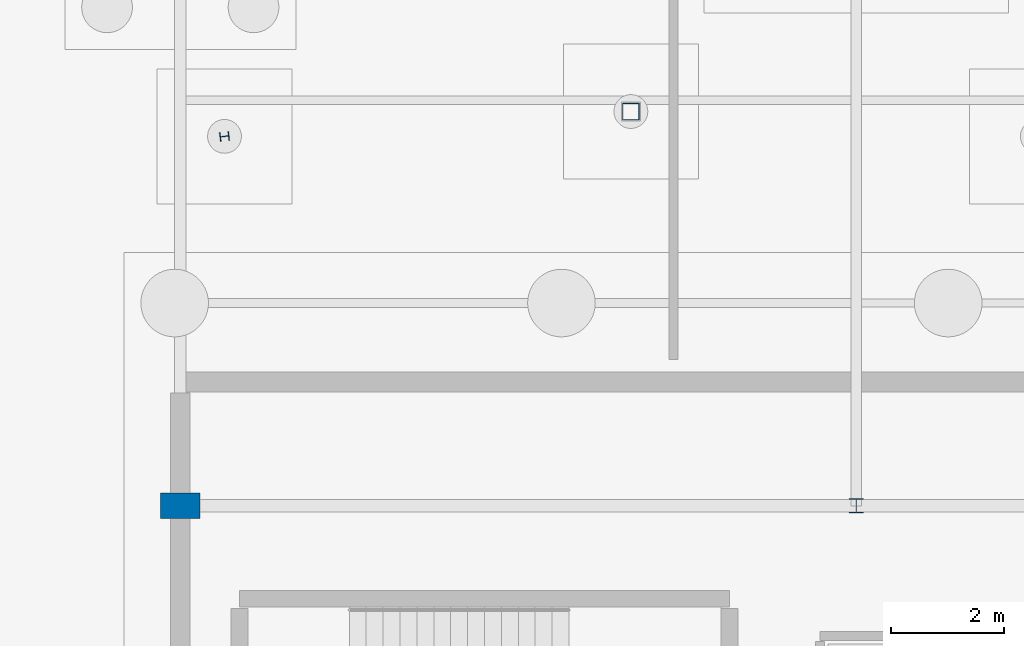
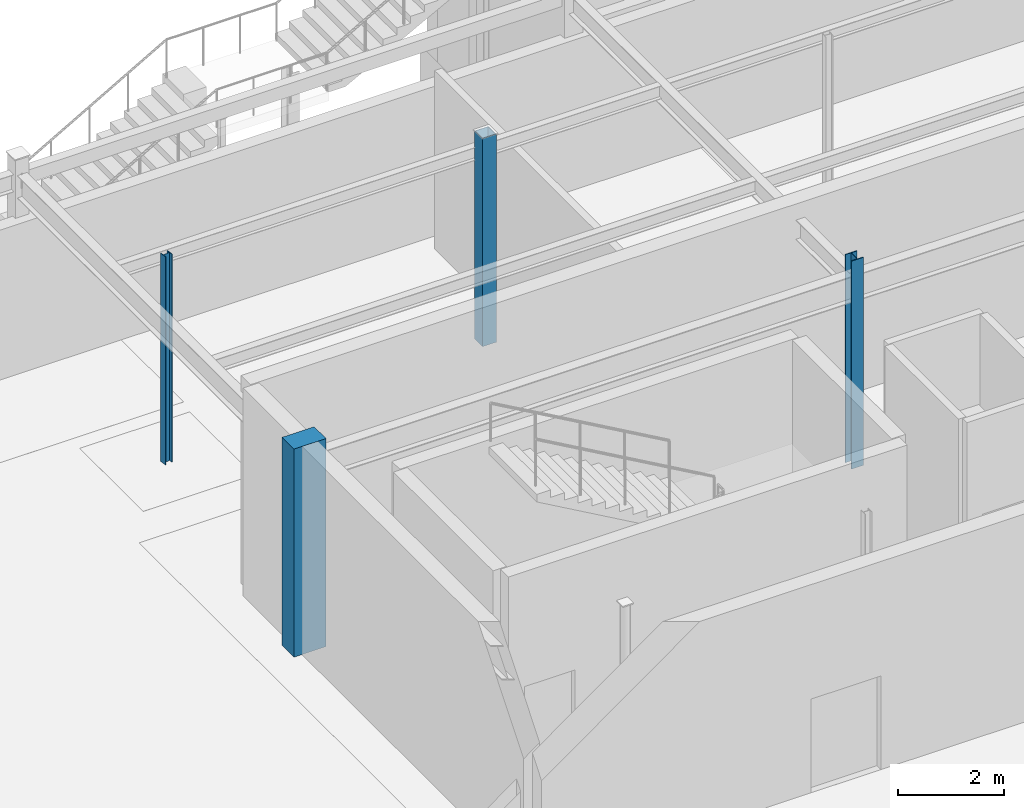
# One storey, part 41 of 136: 4 columns.
"""IFC4 building model written with IfcOpenShell, lengths in metres."""

import ifcopenshell
import ifcopenshell.guid

model = None  # the IFC model being written
_history = None  # IfcOwnerHistory: only IFC2X3 demands one
_inside = {}  # id of a spatial element -> (the spatial element, [elements in it])
_under = {}  # id of a project, library or spatial element -> (it, [spatial elements below it])
_declared = {}  # id of a project -> (the project, [libraries it declares])
_typed = {}  # id of a type object -> (the type object, [elements of that type])
_made_of = {}  # id of a material, layer set ... -> (it, [elements and type objects made of it])


def new_model(schema):
    """Start an empty IFC model of exactly this schema.

    Asked for "IFC4X3", IfcOpenShell would pick the latest addendum, in which some entities
    have other attributes; the version numbers below select the first issue.
    IFC2X3 requires an IfcOwnerHistory on every rooted entity: one is made here for all.
    """
    global model, _history
    if schema == "IFC4X3":
        model = ifcopenshell.file(schema_version=(4, 3, 0, 0))
    else:
        model = ifcopenshell.file(schema=schema)
    _inside.clear()
    _under.clear()
    _declared.clear()
    _typed.clear()
    _made_of.clear()
    _history = None
    if model.schema == "IFC2X3":
        org = make("IfcOrganization", Name="unknown")
        user = make(
            "IfcPersonAndOrganization",
            ThePerson=make("IfcPerson", FamilyName="unknown"),
            TheOrganization=org,
        )
        app = make(
            "IfcApplication",
            ApplicationDeveloper=org,
            Version="unknown",
            ApplicationFullName="unknown",
            ApplicationIdentifier="unknown",
        )
        _history = make(
            "IfcOwnerHistory",
            OwningUser=user,
            OwningApplication=app,
            ChangeAction="ADDED",
            CreationDate=0,
        )
    return model


def make(cls, **values):
    """One entity of the class cls with the attributes given. An attribute that is None is left unset."""
    return model.create_entity(
        cls, **{name: value for name, value in values.items() if value is not None}
    )


def rooted(cls, **values):
    """An entity with a GlobalId (a new one), such as an element, a storey or a relation."""
    return make(cls, GlobalId=ifcopenshell.guid.new(), OwnerHistory=_history, **values)


def si_unit(unit_type, name, prefix=None):
    """IfcSIUnit, for example si_unit("LENGTHUNIT", "METRE", prefix="MILLI")."""
    return make("IfcSIUnit", UnitType=unit_type, Prefix=prefix, Name=name)


def assignment(units):
    """IfcUnitAssignment: the units of a project."""
    return None if units is None else make("IfcUnitAssignment", Units=units)


def point(xyz):
    """IfcCartesianPoint."""
    return None if xyz is None else make("IfcCartesianPoint", Coordinates=xyz)


def direction(xyz):
    """IfcDirection."""
    return None if xyz is None else make("IfcDirection", DirectionRatios=xyz)


def frame(location, z_axis=None, x_axis=None):
    """IfcAxis2Placement3D, a coordinate frame: its origin and axes. An axis left out is left unset."""
    return make(
        "IfcAxis2Placement3D",
        Location=point(location),
        Axis=direction(z_axis),
        RefDirection=direction(x_axis),
    )


def frame_2d(location, x_axis=None):
    """IfcAxis2Placement2D, a coordinate frame in the plane: its origin and x axis."""
    return make(
        "IfcAxis2Placement2D", Location=point(location), RefDirection=direction(x_axis)
    )


def origin():
    """The frame at (0, 0, 0) with its axes left unset."""
    return frame((0.0, 0.0, 0.0))


def origin_2d():
    """The frame at (0, 0) in the plane with its x axis left unset."""
    return frame_2d((0.0, 0.0))


def place(relative_to, where):
    """IfcLocalPlacement: puts the frame where relative to a parent placement (None: the world)."""
    return make(
        "IfcLocalPlacement", PlacementRelTo=relative_to, RelativePlacement=where
    )


def context(
    kind, dimensions, precision=None, world=None, true_north=None, identifier=None
):
    """IfcGeometricRepresentationContext, for example the 3D "Model" context."""
    return make(
        "IfcGeometricRepresentationContext",
        ContextIdentifier=identifier,
        ContextType=kind,
        CoordinateSpaceDimension=dimensions,
        Precision=precision,
        WorldCoordinateSystem=world,
        TrueNorth=true_north,
    )


def subcontext(parent, identifier, kind, view, scale=None):
    """IfcGeometricRepresentationSubContext, for example "Body" below "Model"."""
    return make(
        "IfcGeometricRepresentationSubContext",
        ContextIdentifier=identifier,
        ContextType=kind,
        ParentContext=parent,
        TargetScale=scale,
        TargetView=view,
    )


def project(units=None, contexts=None):
    """IfcProject with its units and contexts."""
    return rooted(
        "IfcProject",
        Name="project",
        RepresentationContexts=contexts,
        UnitsInContext=assignment(units),
    )


def spatial(cls, under=None, at=None, **own):
    """A site, building, storey or space (cls), placed at a placement, below another one or the project."""
    s = rooted(cls, ObjectPlacement=at, **own)
    if under is not None:
        _under.setdefault(under.id(), (under, []))[1].append(s)
    return s


def profile(cls, at=None, kind="AREA", **sizes):
    """A parametric profile (cls). Its sizes go by their IFC names, for example OverallWidth=200.0."""
    return make(cls, ProfileType=kind, Position=at, **sizes)


def rectangle(**sizes):
    """IfcRectangleProfileDef."""
    return profile("IfcRectangleProfileDef", **sizes)


def hollow_rectangle(**sizes):
    """IfcRectangleHollowProfileDef."""
    return profile("IfcRectangleHollowProfileDef", **sizes)


def i_section(**sizes):
    """IfcIShapeProfileDef."""
    return profile("IfcIShapeProfileDef", **sizes)


def extrude(swept, where, along, depth):
    """IfcExtrudedAreaSolid: the profile swept, set in the frame where, extruded along a direction by depth."""
    return make(
        "IfcExtrudedAreaSolid",
        SweptArea=swept,
        Position=where,
        ExtrudedDirection=direction(along),
        Depth=depth,
    )


def shape(context_of_items, identifier, shape_type, items):
    """IfcShapeRepresentation: the items that make up one representation, for example the "Body"."""
    return make(
        "IfcShapeRepresentation",
        ContextOfItems=context_of_items,
        RepresentationIdentifier=identifier,
        RepresentationType=shape_type,
        Items=items,
    )


def material(Name=None, Category=None):
    """IfcMaterial."""
    return make("IfcMaterial", Name=Name, Category=Category)


def material_profile(
    of_material, cross_section, Name=None, Category=None, Priority=None
):
    """IfcMaterialProfile: a cross section and its material."""
    return make(
        "IfcMaterialProfile",
        Name=Name,
        Material=of_material,
        Profile=cross_section,
        Priority=Priority,
        Category=Category,
    )


def profile_set(profiles, Name=None, composite=None):
    """IfcMaterialProfileSet."""
    return make(
        "IfcMaterialProfileSet",
        Name=Name,
        MaterialProfiles=profiles,
        CompositeProfile=composite,
    )


def made_of(thing, what):
    """Note that an element or type object is made of a material, layer set ...; save() writes the relation."""
    if what is not None:
        _made_of.setdefault(what.id(), (what, []))[1].append(thing)
    return thing


def type_object(cls, material=None, **own):
    """A type object (cls), such as IfcWallType, which elements share."""
    return made_of(rooted(cls, **own), material)


def element(
    cls,
    number,
    at=None,
    inside=None,
    cuts=None,
    type_object=None,
    material=None,
    context=None,
    identifier="Body",
    shape_type=None,
    held_by="IfcProductDefinitionShape",
    body=None,
    shapes=None,
    **own,
):
    """One element of the class cls, such as IfcWall. Its Tag is "e" and its number.

    at: its placement. inside: the storey or other place that contains it. cuts: it is an
    opening in that element (IfcRelVoidsElement). A single representation is given by context,
    identifier, shape_type and body (its items); several are given by shapes. held_by: the class
    of the entity that holds the representations. save() writes the other relations.
    """
    e = rooted(cls, Tag="e%d" % number, ObjectPlacement=at, **own)
    if body is not None:
        shapes = [shape(context, identifier, shape_type, body)]
    if shapes is not None:
        e.Representation = make(held_by, Representations=shapes)
    if inside is not None:
        _inside.setdefault(inside.id(), (inside, []))[1].append(e)
    if cuts is not None:
        rooted(
            "IfcRelVoidsElement", RelatingBuildingElement=cuts, RelatedOpeningElement=e
        )
    if type_object is not None:
        _typed.setdefault(type_object.id(), (type_object, []))[1].append(e)
    return made_of(e, material)


def aggregate(whole, parts):
    """IfcRelAggregates: a whole, such as a stair, and the parts it consists of."""
    return rooted("IfcRelAggregates", RelatingObject=whole, RelatedObjects=parts)


def save(model, path):
    """Write the relations noted so far, then the file.

    IfcRelAggregates (storeys below a building ...), IfcRelContainedInSpatialStructure (elements
    in a storey), IfcRelDefinesByType, IfcRelAssociatesMaterial and IfcRelDeclares: one each for
    every whole, place, type object, material and project.
    """
    for whole, parts in _under.values():
        aggregate(whole, parts)
    for where, things in _inside.values():
        rooted(
            "IfcRelContainedInSpatialStructure",
            RelatedElements=things,
            RelatingStructure=where,
        )
    for kind, things in _typed.values():
        rooted("IfcRelDefinesByType", RelatedObjects=things, RelatingType=kind)
    for what, things in _made_of.values():
        rooted("IfcRelAssociatesMaterial", RelatedObjects=things, RelatingMaterial=what)
    for by, libraries in _declared.values():
        rooted("IfcRelDeclares", RelatingContext=by, RelatedDefinitions=libraries)
    model.write(path)


model = new_model("IFC4")

# Units and contexts
model_context = context("Model", 3, precision=1e-05, world=origin(), true_north=direction((0.0, 1.0)))
body_context = subcontext(model_context, "Body", "Model", "MODEL_VIEW")
ifc_project = project(units=[si_unit("LENGTHUNIT", "METRE"), si_unit("AREAUNIT", "SQUARE_METRE"), si_unit("VOLUMEUNIT", "CUBIC_METRE"), si_unit("PLANEANGLEUNIT", "RADIAN"), si_unit("MASSUNIT", "GRAM", prefix="KILO")], contexts=[model_context])

# Site, building, storey
site_placement = place(None, origin())
site = spatial("IfcSite", under=ifc_project, at=site_placement, CompositionType="ELEMENT")
building_placement = place(site_placement, origin())
building = spatial("IfcBuilding", under=site, at=building_placement, Name="Tarnwether General Hospital", CompositionType="ELEMENT")
storey_placement = place(building_placement, frame((0.0, 0.0, -4.800048828125)))
storey = spatial("IfcBuildingStorey", under=building, at=storey_placement, Name="LG", CompositionType="ELEMENT", Elevation=-4.800048828125)

# Columns
ifc_material_1 = material(Name="Steel Grade 350 (350 MPa)", Category="steel")
ifc_material_profile_1 = material_profile(ifc_material_1, i_section(OverallWidth=0.256103515625, OverallDepth=0.260009765625, WebThickness=0.010498046875, FlangeThickness=0.017333984375, at=origin_2d()), Name="250UC89.5")
ifc_profile_set_1 = profile_set([ifc_material_profile_1], Name="Steel Grade 350 (350 MPa)")
column_type_1 = type_object("IfcColumnType", Name="COL-09", PredefinedType="COLUMN", material=ifc_profile_set_1)
column_1_placement = place(storey_placement, frame((96.0, 115.199951171875, 0.0), z_axis=(0.0, 0.0, 1.0), x_axis=(1.0, 0.0, 0.0)))
element("IfcColumn", 1, at=column_1_placement, inside=storey, type_object=column_type_1, Name="Column COLG-LG-9600_11520", PredefinedType="COLUMN", context=body_context, shape_type="SweptSolid", body=[
    extrude(i_section(OverallWidth=0.256103515625, OverallDepth=0.260009765625, WebThickness=0.010498046875, FlangeThickness=0.017333984375, at=origin_2d()), origin(), (0.0, 0.0, 1.0), 4.800048828125),
])
ifc_material_2 = material(Name="Concrete 50 MPa", Category="concrete")
ifc_material_profile_2 = material_profile(ifc_material_2, rectangle(XDim=0.449951171875, YDim=0.699951171875, at=origin_2d()), Name="RC-PIL-450x700")
ifc_profile_set_2 = profile_set([ifc_material_profile_2], Name="Concrete 50 MPa")
column_type_2 = type_object("IfcColumnType", Name="COL-22", PredefinedType="PILASTER", material=ifc_profile_set_2)
column_2_placement = place(storey_placement, frame((84.0, 115.199951171875, 0.0), z_axis=(0.0, 0.0, 1.0), x_axis=(0.0, 1.0, 0.0)))
element("IfcColumn", 2, at=column_2_placement, inside=storey, type_object=column_type_2, Name="Column COLG-LG-8400_11520", PredefinedType="PILASTER", context=body_context, shape_type="SweptSolid", body=[
    extrude(rectangle(XDim=0.449951171875, YDim=0.699951171875, at=origin_2d()), origin(), (0.0, 0.0, 1.0), 4.800048828125),
])
ifc_material_3 = material(Name="Steel Grade 350 (350 MPa)", Category="steel")
ifc_material_profile_3 = material_profile(ifc_material_3, i_section(OverallWidth=0.154052734375, OverallDepth=0.162109375, WebThickness=0.008056640625, FlangeThickness=0.011474609375, at=origin_2d()), Name="150UC37.2")
ifc_profile_set_3 = profile_set([ifc_material_profile_3], Name="Steel Grade 350 (350 MPa)")
column_type_3 = type_object("IfcColumnType", Name="COL-28", PredefinedType="COLUMN", material=ifc_profile_set_3)
column_3_placement = place(storey_placement, frame((84.784912109375, 121.759033203125, 0.0), z_axis=(0.0, 0.0, 1.0), x_axis=(-0.121869343405, 0.992546151641, 0.0)))
element("IfcColumn", 3, at=column_3_placement, inside=storey, type_object=column_type_3, Name="Column COLG-LG-8478_12176", PredefinedType="COLUMN", context=body_context, shape_type="SweptSolid", body=[
    extrude(i_section(OverallWidth=0.154052734375, OverallDepth=0.162109375, WebThickness=0.008056640625, FlangeThickness=0.011474609375, at=origin_2d()), origin(), (0.0, 0.0, 1.0), 4.800048828125),
])
ifc_material_4 = material(Name="Steel Grade C350L0 (350 MPa)", Category="steel")
ifc_material_profile_4 = material_profile(ifc_material_4, hollow_rectangle(XDim=0.300048828125, YDim=0.300048828125, WallThickness=0.012451171875, at=origin_2d()), Name="SHS300x300x12.5")
ifc_profile_set_4 = profile_set([ifc_material_profile_4], Name="Steel Grade C350L0 (350 MPa)")
column_type_4 = type_object("IfcColumnType", Name="COL-30", PredefinedType="COLUMN", material=ifc_profile_set_4)
column_4_placement = place(storey_placement, frame((92.0, 122.199951171875, 0.0), z_axis=(0.0, 0.0, 1.0), x_axis=(0.0, 1.0, 0.0)))
element("IfcColumn", 4, at=column_4_placement, inside=storey, type_object=column_type_4, Name="Column COLG-LG-9200_12220", PredefinedType="COLUMN", context=body_context, shape_type="SweptSolid", body=[
    extrude(hollow_rectangle(XDim=0.300048828125, YDim=0.300048828125, WallThickness=0.012451171875, at=origin_2d()), origin(), (0.0, 0.0, 1.0), 4.800048828125),
])

save(model, "model.ifc")
